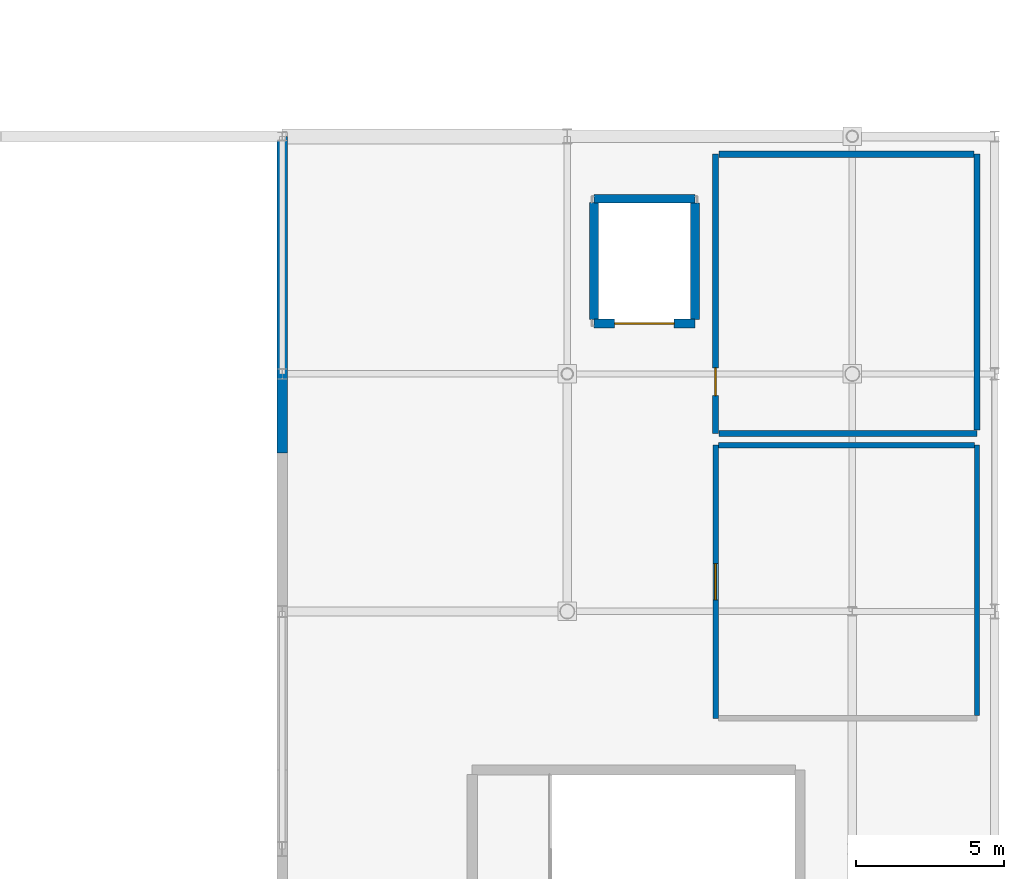
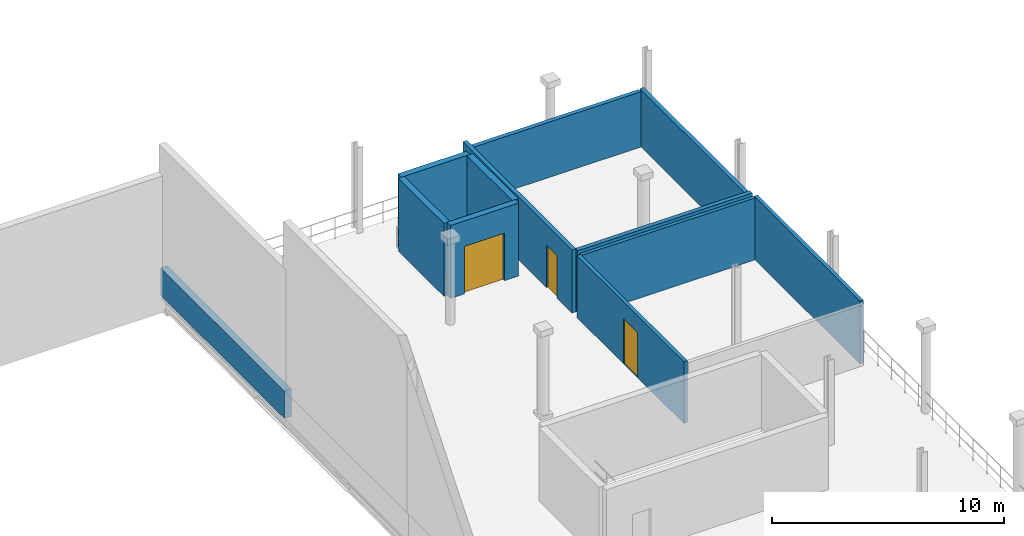
# One storey, part 41 of 59: 12 walls, 3 doors, 3 openings.
"""IFC4 building model written with IfcOpenShell, lengths in metres."""

from ifc_helpers import new_model, si_unit, direction, frame, frame_2d, origin, place, context, subcontext, project, spatial, rectangle, extrude, material, layer, layer_set, type_object, element, fill, save


model = new_model("IFC4")

# Units and contexts
model_context = context("Model", 3, precision=1e-05, world=origin(), true_north=direction((0.0, 1.0)))
body_context = subcontext(model_context, "Body", "Model", "MODEL_VIEW")
ifc_project = project(units=[si_unit("LENGTHUNIT", "METRE"), si_unit("AREAUNIT", "SQUARE_METRE"), si_unit("VOLUMEUNIT", "CUBIC_METRE"), si_unit("PLANEANGLEUNIT", "RADIAN"), si_unit("MASSUNIT", "GRAM", prefix="KILO")], contexts=[model_context])

# Site, building, storey
site_placement = place(None, origin())
site = spatial("IfcSite", under=ifc_project, at=site_placement, CompositionType="ELEMENT")
building_placement = place(site_placement, origin())
building = spatial("IfcBuilding", under=site, at=building_placement, Name="Danafjord Basin Convention Centre", CompositionType="ELEMENT")
storey_placement = place(building_placement, frame((0.0, 0.0, 15.89990234375)))
storey = spatial("IfcBuildingStorey", under=building, at=storey_placement, Name="L03", CompositionType="ELEMENT", Elevation=15.89990234375)

# Wall
ifc_material_1 = material(Name="Concrete C40/50", Category="concrete")
ifc_layer_1 = layer(ifc_material_1, 0.300048828125)
ifc_layer_set_1 = layer_set([ifc_layer_1], Name="Concrete C40/50")
wall_type_1 = type_object("IfcWallType", Name="WALL-CW-CORE300", PredefinedType="SHEAR", material=ifc_layer_set_1)
wall_1_placement = place(storey_placement, frame((205.89990234375, 77.89990234375, 0.0), z_axis=(0.0, 0.0, 1.0), x_axis=(-1.0, 0.0, 0.0)))
element("IfcWall", 1, at=wall_1_placement, inside=storey, type_object=wall_type_1, Name="Lift LF-G02 shaft shear wall", PredefinedType="SHEAR", context=body_context, shape_type="SweptSolid", body=[
    extrude(rectangle(XDim=3.39990234375, YDim=0.300048828125, at=frame_2d((1.699951171875, 0.0))), origin(), (0.0, 0.0, 1.0), 3.835205078125),
])

# Wall, opening, door
wall_2_placement = place(storey_placement, frame((202.5, 73.699951171875, 0.0), z_axis=(0.0, 0.0, 1.0), x_axis=(1.0, 0.0, 0.0)))
wall_2 = element("IfcWall", 2, at=wall_2_placement, inside=storey, type_object=wall_type_1, Name="Lift LF-G02 shaft shear wall", PredefinedType="SHEAR", context=body_context, shape_type="SweptSolid", body=[
    extrude(rectangle(XDim=3.39990234375, YDim=0.300048828125, at=frame_2d((1.699951171875, 0.0))), origin(), (0.0, 0.0, 1.0), 3.835205078125),
])
opening_1_placement = place(wall_2_placement, frame((0.699951171875, 0.0, 0.0)))
opening_1 = element("IfcOpeningElement", 3, at=opening_1_placement, cuts=wall_2, Name="Opening LD-G01", PredefinedType="OPENING", context=body_context, shape_type="SweptSolid", body=[
    extrude(rectangle(XDim=2.0, YDim=2.5, at=frame_2d((1.0, 1.25))), frame((0.0, 0.159912109375, 0.0), z_axis=(0.0, -1.0, 0.0), x_axis=(1.0, 0.0, 0.0)), (0.0, 0.0, 1.0), 0.320068359375),
])
ifc_material_2 = material(Name="Brushed stainless steel and acoustic laminated glass", Category="steel")
door_type_1 = type_object("IfcDoorType", Name="DOOR-LD-G01", OperationType="DOUBLE_DOOR_SLIDING", PredefinedType="DOOR", material=ifc_material_2)
door_1_placement = place(opening_1_placement, origin())
door_1 = element("IfcDoor", 4, at=door_1_placement, inside=storey, type_object=door_type_1, Name="Lift LF-G02 L03 Landing Door", OperationType="DOUBLE_DOOR_SLIDING", OverallHeight=2.5, OverallWidth=2.0, PredefinedType="DOOR", context=body_context, shape_type="SweptSolid", body=[
    extrude(rectangle(XDim=2.0, YDim=2.5, at=frame_2d((1.0, 1.25))), frame((0.0, 0.02490234375, 0.0), z_axis=(0.0, -1.0, 0.0), x_axis=(1.0, 0.0, 0.0)), (0.0, 0.0, 1.0), 0.050048828125),
])
fill(opening_1, door_1)

# Walls
for number, where, z_axis, x_axis, name in (
    (5, (205.89990234375, 73.8349609375, 0.0), (0.0, 0.0, 1.0), (0.0, 1.0, 0.0), "Lift LF-G02 shaft shear wall"),
    (6, (202.5, 77.764892578125, 0.0), (0.0, 0.0, 1.0), (0.0, -1.0, 0.0), "Lift LF-G02 shaft shear wall"),
):
    element("IfcWall", number, at=place(storey_placement, frame(where, z_axis=z_axis, x_axis=x_axis)), inside=storey, type_object=wall_type_1, Name=name, PredefinedType="SHEAR", context=body_context, shape_type="SweptSolid", body=[
        extrude(rectangle(XDim=3.929931640625, YDim=0.300048828125, at=frame_2d((1.96484375, 0.0))), origin(), (0.0, 0.0, 1.0), 3.835205078125),
    ])
ifc_material_3 = material(Name="Precast concrete C40/50", Category="concrete")
ifc_layer_2 = layer(ifc_material_3, 0.340087890625)
ifc_layer_set_2 = layer_set([ifc_layer_2], Name="Precast concrete C40/50")
wall_type_2 = type_object("IfcWallType", Name="WALL-EW-PC340", PredefinedType="SOLIDWALL", material=ifc_layer_set_2)
wall_3_placement = place(storey_placement, frame((192.0, 69.3330078125, 0.0), z_axis=(0.0, 0.0, 1.0), x_axis=(0.0, 1.0, 0.0)))
element("IfcWall", 7, at=wall_3_placement, inside=storey, type_object=wall_type_2, Name="L03 east congress wing facade wall", PredefinedType="SOLIDWALL", context=body_context, shape_type="SweptSolid", body=[
    extrude(rectangle(XDim=10.6669921875, YDim=0.340087890625, at=frame_2d((5.33349609375, 0.0))), origin(), (0.0, 0.0, 1.0), 1.440185546875),
])

# Wall, opening, door
ifc_material_4 = material(Name="Acoustic double-board gypsum stud partition")
ifc_layer_3 = layer(ifc_material_4, 0.175048828125)
ifc_layer_set_3 = layer_set([ifc_layer_3], Name="Acoustic double-board gypsum stud partition")
wall_type_3 = type_object("IfcWallType", Name="WALL-PT-AC175", PredefinedType="PARTITIONING", material=ifc_layer_set_3)
wall_4_placement = place(storey_placement, frame((206.60009765625, 69.60009765625, 0.0), z_axis=(0.0, 0.0, 1.0), x_axis=(0.0, -1.0, 0.0)))
wall_4 = element("IfcWall", 8, at=wall_4_placement, inside=storey, type_object=wall_type_3, Name="Delegate Conference Lounge west partition", PredefinedType="PARTITIONING", context=body_context, shape_type="SweptSolid", body=[
    extrude(rectangle(XDim=9.2001953125, YDim=0.175048828125, at=frame_2d((4.60009765625, 0.0))), origin(), (0.0, 0.0, 1.0), 3.255126953125),
])
opening_2_placement = place(wall_4_placement, frame((3.989990234375, 0.0, 0.0)))
opening_2 = element("IfcOpeningElement", 9, at=opening_2_placement, cuts=wall_4, Name="Opening FD-S19", PredefinedType="OPENING", context=body_context, shape_type="SweptSolid", body=[
    extrude(rectangle(XDim=1.219970703125, YDim=2.360107421875, at=frame_2d((0.60986328125, 1.18017578125))), frame((0.0, 0.097412109375, 0.0), z_axis=(0.0, -1.0, 0.0), x_axis=(1.0, 0.0, 0.0)), (0.0, 0.0, 1.0), 0.195068359375),
])
ifc_material_5 = material(Name="Powder-coated steel and Nordic oak", Category="steel")
door_type_2 = type_object("IfcDoorType", Name="DOOR-FD-S19", OperationType="NOTDEFINED", PredefinedType="DOOR", material=ifc_material_5)
door_2_placement = place(opening_2_placement, origin())
door_2 = element("IfcDoor", 10, at=door_2_placement, inside=storey, type_object=door_type_2, Name="Delegate Conference Lounge Entrance Door", OperationType="SINGLE_SWING_RIGHT", OverallHeight=2.360107421875, OverallWidth=1.219970703125, PredefinedType="DOOR", context=body_context, shape_type="SweptSolid", body=[
    extrude(rectangle(XDim=1.219970703125, YDim=2.360107421875, at=frame_2d((0.60986328125, 1.18017578125))), frame((0.0, 0.02490234375, 0.0), z_axis=(0.0, -1.0, 0.0), x_axis=(1.0, 0.0, 0.0)), (0.0, 0.0, 1.0), 0.050048828125),
])
fill(opening_2, door_2)

# Walls
wall_5_placement = place(storey_placement, frame((215.39990234375, 60.491455078125, 0.0), z_axis=(0.0, 0.0, 1.0), x_axis=(0.0, 1.0, 0.0)))
element("IfcWall", 11, at=wall_5_placement, inside=storey, type_object=wall_type_3, Name="Delegate Conference Lounge east partition", PredefinedType="PARTITIONING", context=body_context, shape_type="SweptSolid", body=[
    extrude(rectangle(XDim=9.108642578125, YDim=0.175048828125, at=frame_2d((4.55419921875, 0.0))), origin(), (0.0, 0.0, 1.0), 3.30517578125),
])
wall_6_placement = place(storey_placement, frame((215.30859375, 69.60009765625, 0.0), z_axis=(0.0, 0.0, 1.0), x_axis=(-1.0, 0.0, 0.0)))
element("IfcWall", 12, at=wall_6_placement, inside=storey, type_object=wall_type_3, Name="Delegate Conference Lounge north partition", PredefinedType="PARTITIONING", context=body_context, shape_type="SweptSolid", body=[
    extrude(rectangle(XDim=8.6171875, YDim=0.175048828125, at=frame_2d((4.30859375, 0.0))), origin(), (0.0, 0.0, 1.0), 3.255126953125),
])

# Wall, opening, door
ifc_material_6 = material(Name="Concrete C35/45", Category="concrete")
ifc_layer_4 = layer(ifc_material_6, 0.205078125)
ifc_layer_set_4 = layer_set([ifc_layer_4], Name="Concrete C35/45")
wall_type_4 = type_object("IfcWallType", Name="WALL-W-COMP205", PredefinedType="SOLIDWALL", material=ifc_layer_set_4)
wall_7_placement = place(storey_placement, frame((206.60009765625, 79.39990234375, 0.0), z_axis=(0.0, 0.0, 1.0), x_axis=(0.0, -1.0, 0.0)))
wall_7 = element("IfcWall", 13, at=wall_7_placement, inside=storey, type_object=wall_type_4, Name="Roof-Garden AHU Plant Room west partition", PredefinedType="SOLIDWALL", context=body_context, shape_type="SweptSolid", body=[
    extrude(rectangle(XDim=9.39990234375, YDim=0.205078125, at=frame_2d((4.699951171875, 0.0))), origin(), (0.0, 0.0, 1.0), 3.30517578125),
])
opening_3_placement = place(wall_7_placement, frame((7.199951171875, 0.0, 0.0)))
opening_3 = element("IfcOpeningElement", 14, at=opening_3_placement, cuts=wall_7, Name="Opening FD-S21", PredefinedType="OPENING", context=body_context, shape_type="SweptSolid", body=[
    extrude(rectangle(XDim=0.929931640625, YDim=2.219970703125, at=frame_2d((0.46484375, 1.10986328125))), frame((0.0, 0.112548828125, 0.0), z_axis=(0.0, -1.0, 0.0), x_axis=(1.0, 0.0, 0.0)), (0.0, 0.0, 1.0), 0.22509765625),
])
door_type_3 = type_object("IfcDoorType", Name="DOOR-FD-S21", OperationType="NOTDEFINED", PredefinedType="DOOR", material=ifc_material_5)
door_3_placement = place(opening_3_placement, origin())
door_3 = element("IfcDoor", 15, at=door_3_placement, inside=storey, type_object=door_type_3, Name="Roof-Garden AHU Plant Room Entrance Door", OperationType="SINGLE_SWING_RIGHT", OverallHeight=2.219970703125, OverallWidth=0.929931640625, PredefinedType="DOOR", context=body_context, shape_type="SweptSolid", body=[
    extrude(rectangle(XDim=0.929931640625, YDim=2.219970703125, at=frame_2d((0.46484375, 1.10986328125))), frame((0.0, 0.02490234375, 0.0), z_axis=(0.0, -1.0, 0.0), x_axis=(1.0, 0.0, 0.0)), (0.0, 0.0, 1.0), 0.050048828125),
])
fill(opening_3, door_3)

# Walls
wall_8_placement = place(storey_placement, frame((206.70654296875, 70.0, 0.0), z_axis=(0.0, 0.0, 1.0), x_axis=(1.0, 0.0, 0.0)))
element("IfcWall", 16, at=wall_8_placement, inside=storey, type_object=wall_type_4, Name="Roof-Garden AHU Plant Room south partition", PredefinedType="SOLIDWALL", context=body_context, shape_type="SweptSolid", body=[
    extrude(rectangle(XDim=8.693359375, YDim=0.205078125, at=frame_2d((4.3466796875, 0.0))), origin(), (0.0, 0.0, 1.0), 3.255126953125),
])
wall_9_placement = place(storey_placement, frame((215.39990234375, 70.1064453125, 0.0), z_axis=(0.0, 0.0, 1.0), x_axis=(0.0, 1.0, 0.0)))
element("IfcWall", 17, at=wall_9_placement, inside=storey, type_object=wall_type_4, Name="Roof-Garden AHU Plant Room east partition", PredefinedType="SOLIDWALL", context=body_context, shape_type="SweptSolid", body=[
    extrude(rectangle(XDim=9.29345703125, YDim=0.205078125, at=frame_2d((4.646728515625, 0.0))), origin(), (0.0, 0.0, 1.0), 3.005126953125),
])
wall_10_placement = place(storey_placement, frame((215.29345703125, 79.39990234375, 0.0), z_axis=(0.0, 0.0, 1.0), x_axis=(-1.0, 0.0, 0.0)))
element("IfcWall", 18, at=wall_10_placement, inside=storey, type_object=wall_type_4, Name="Roof-Garden AHU Plant Room north partition", PredefinedType="SOLIDWALL", context=body_context, shape_type="SweptSolid", body=[
    extrude(rectangle(XDim=8.5869140625, YDim=0.205078125, at=frame_2d((4.29345703125, 0.0))), origin(), (0.0, 0.0, 1.0), 2.905029296875),
])

save(model, "model.ifc")
